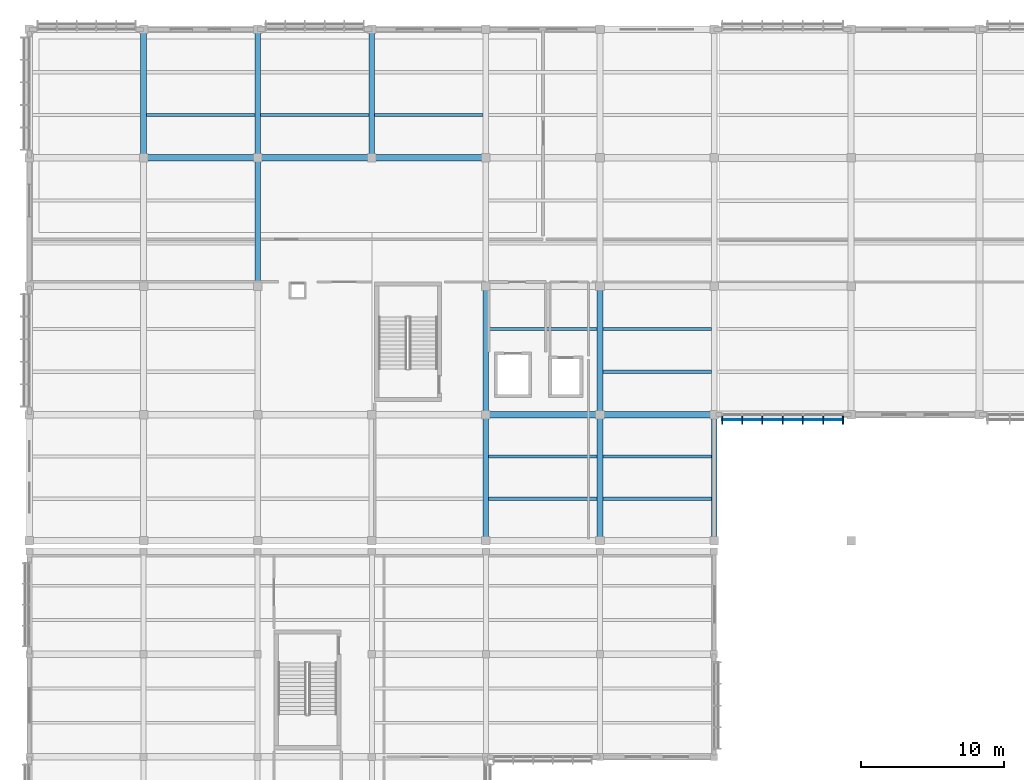
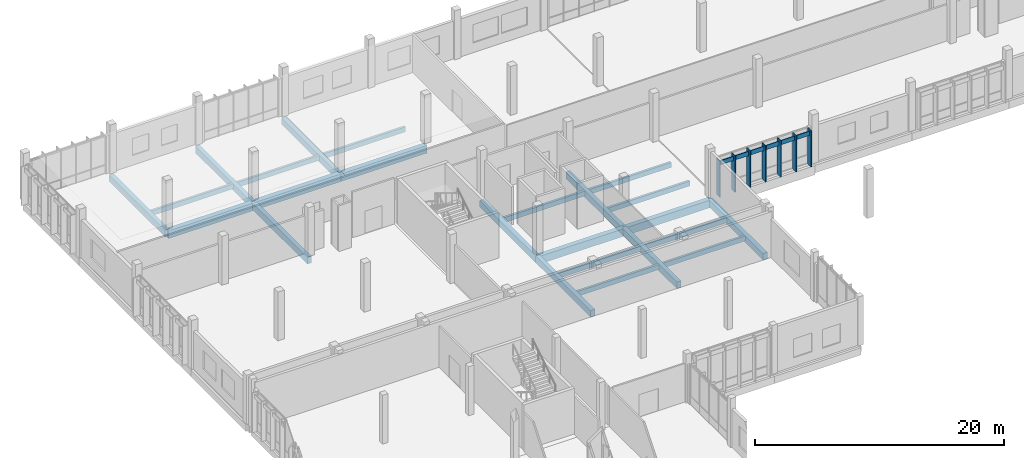
# One storey, part 78 of 177: 24 beams, 8 members, 1 element without a shape of its own.
"""IFC4 building model written with IfcOpenShell, lengths in metres."""

from ifc_helpers import new_model, si_unit, direction, frame, origin, origin_2d, place, context, subcontext, project, spatial, rectangle, extrude, material, material_profile, profile_set, type_object, element, aggregate, save


model = new_model("IFC4")

# Units and contexts
model_context = context("Model", 3, precision=1e-05, world=origin(), true_north=direction((0.0, 1.0)))
body_context = subcontext(model_context, "Body", "Model", "MODEL_VIEW")
ifc_project = project(units=[si_unit("LENGTHUNIT", "METRE"), si_unit("AREAUNIT", "SQUARE_METRE"), si_unit("VOLUMEUNIT", "CUBIC_METRE"), si_unit("PLANEANGLEUNIT", "RADIAN"), si_unit("MASSUNIT", "GRAM", prefix="KILO")], contexts=[model_context])

# Site, building, storey
site_placement = place(None, origin())
site = spatial("IfcSite", under=ifc_project, at=site_placement, CompositionType="ELEMENT")
building_placement = place(site_placement, origin())
building = spatial("IfcBuilding", under=site, at=building_placement, Name="Chiffa Square Polytechnic", CompositionType="ELEMENT")
storey_placement = place(building_placement, frame((0.0, 0.0, 4.800048828125)))
storey = spatial("IfcBuildingStorey", under=building, at=storey_placement, Name="L01", CompositionType="ELEMENT", Elevation=4.800048828125)

# Beams
ifc_material_1 = material(Name="Concrete C35/45", Category="concrete")
ifc_material_profile_1 = material_profile(ifc_material_1, rectangle(XDim=0.39990234375, YDim=0.64990234375, at=origin_2d()), Name="RC 400x650")
ifc_profile_set_1 = profile_set([ifc_material_profile_1], Name="Concrete C35/45")
beam_type_1 = type_object("IfcBeamType", Name="BM-RC-400X650", PredefinedType="BEAM", material=ifc_profile_set_1)
for number, where, z_axis, x_axis, name in (
    (1, (8.0, 121.800048828125, -0.60498046875), (0.0, 1.0, 0.0), (-1.0, 0.0, 0.0), "Primary floor girder BM-V5-L01-Y-0080-1218"),
    (2, (16.0, 112.800048828125, -0.60498046875), (0.0, 1.0, 0.0), (-1.0, 0.0, 0.0), "Primary floor girder BM-V5-L01-Y-0160-1128"),
    (3, (16.0, 121.800048828125, -0.60498046875), (0.0, 1.0, 0.0), (-1.0, 0.0, 0.0), "Primary floor girder BM-V5-L01-Y-0160-1218"),
    (4, (24.0, 121.800048828125, -0.60498046875), (0.0, 1.0, 0.0), (-1.0, 0.0, 0.0), "Primary floor girder BM-V5-L01-Y-0240-1218"),
):
    element("IfcBeam", number, at=place(storey_placement, frame(where, z_axis=z_axis, x_axis=x_axis)), inside=storey, type_object=beam_type_1, Name=name, PredefinedType="BEAM", context=body_context, shape_type="SweptSolid", body=[
        extrude(rectangle(XDim=0.39990234375, YDim=0.64990234375, at=origin_2d()), origin(), (0.0, 0.0, 1.0), 9.0),
    ])
beam_1_placement = place(storey_placement, frame((32.0, 94.949951171875, -0.60498046875), z_axis=(0.0, 1.0, 0.0), x_axis=(-1.0, 0.0, 0.0)))
element("IfcBeam", 5, at=beam_1_placement, inside=storey, type_object=beam_type_1, Name="Primary floor girder BM-V5-L01-Y-0320-0950", PredefinedType="BEAM", context=body_context, shape_type="SweptSolid", body=[
    extrude(rectangle(XDim=0.39990234375, YDim=0.64990234375, at=origin_2d()), origin(), (0.0, 0.0, 1.0), 8.85009765625),
])
beam_2_placement = place(storey_placement, frame((32.0, 103.800048828125, -0.60498046875), z_axis=(0.0, 1.0, 0.0), x_axis=(-1.0, 0.0, 0.0)))
element("IfcBeam", 6, at=beam_2_placement, inside=storey, type_object=beam_type_1, Name="Primary floor girder BM-V5-L01-Y-0320-1038", PredefinedType="BEAM", context=body_context, shape_type="SweptSolid", body=[
    extrude(rectangle(XDim=0.39990234375, YDim=0.64990234375, at=origin_2d()), origin(), (0.0, 0.0, 1.0), 9.0),
])
beam_3_placement = place(storey_placement, frame((40.0, 94.949951171875, -0.60498046875), z_axis=(0.0, 1.0, 0.0), x_axis=(-1.0, 0.0, 0.0)))
element("IfcBeam", 7, at=beam_3_placement, inside=storey, type_object=beam_type_1, Name="Primary floor girder BM-V5-L01-Y-0400-0950", PredefinedType="BEAM", context=body_context, shape_type="SweptSolid", body=[
    extrude(rectangle(XDim=0.39990234375, YDim=0.64990234375, at=origin_2d()), origin(), (0.0, 0.0, 1.0), 8.85009765625),
])
beam_4_placement = place(storey_placement, frame((40.0, 103.800048828125, -0.60498046875), z_axis=(0.0, 1.0, 0.0), x_axis=(-1.0, 0.0, 0.0)))
element("IfcBeam", 8, at=beam_4_placement, inside=storey, type_object=beam_type_1, Name="Primary floor girder BM-V5-L01-Y-0400-1038", PredefinedType="BEAM", context=body_context, shape_type="SweptSolid", body=[
    extrude(rectangle(XDim=0.39990234375, YDim=0.64990234375, at=origin_2d()), origin(), (0.0, 0.0, 1.0), 9.0),
])
beam_5_placement = place(storey_placement, frame((48.0, 94.949951171875, -0.60498046875), z_axis=(0.0, 1.0, 0.0), x_axis=(-1.0, 0.0, 0.0)))
element("IfcBeam", 9, at=beam_5_placement, inside=storey, type_object=beam_type_1, Name="Primary floor girder BM-V5-L01-Y-0480-0950", PredefinedType="BEAM", context=body_context, shape_type="SweptSolid", body=[
    extrude(rectangle(XDim=0.39990234375, YDim=0.64990234375, at=origin_2d()), origin(), (0.0, 0.0, 1.0), 8.85009765625),
])
ifc_material_profile_2 = material_profile(ifc_material_1, rectangle(XDim=0.449951171875, YDim=0.75, at=origin_2d()), Name="RC 450x750")
ifc_profile_set_2 = profile_set([ifc_material_profile_2], Name="Concrete C35/45")
beam_type_2 = type_object("IfcBeamType", Name="BM-RC-450X750", PredefinedType="BEAM", material=ifc_profile_set_2)
for number, where, z_axis, x_axis, name in (
    (10, (32.0, 103.800048828125, -0.655029296875), (1.0, 0.0, 0.0), (0.0, 1.0, 0.0), "Primary floor girder BM-V5-L01-X-0320-1038"),
    (11, (40.0, 103.800048828125, -0.655029296875), (1.0, 0.0, 0.0), (0.0, 1.0, 0.0), "Primary floor girder BM-V5-L01-X-0400-1038"),
    (12, (8.0, 121.800048828125, -0.655029296875), (1.0, 0.0, 0.0), (0.0, 1.0, 0.0), "Primary floor girder BM-V5-L01-X-0080-1218"),
    (13, (16.0, 121.800048828125, -0.655029296875), (1.0, 0.0, 0.0), (0.0, 1.0, 0.0), "Primary floor girder BM-V5-L01-X-0160-1218"),
    (14, (24.0, 121.800048828125, -0.655029296875), (1.0, 0.0, 0.0), (0.0, 1.0, 0.0), "Primary floor girder BM-V5-L01-X-0240-1218"),
):
    element("IfcBeam", number, at=place(storey_placement, frame(where, z_axis=z_axis, x_axis=x_axis)), inside=storey, type_object=beam_type_2, Name=name, PredefinedType="BEAM", context=body_context, shape_type="SweptSolid", body=[
        extrude(rectangle(XDim=0.449951171875, YDim=0.75, at=origin_2d()), origin(), (0.0, 0.0, 1.0), 8.0),
    ])

# Curtain wall, members
ifc_material_2 = material(Name="Aluminium EN AW-6060 T66 and glulam shading", Category="wood")
curtain_wall_type = type_object("IfcCurtainWallType", Name="CW-VERT-540X440", PredefinedType="USERDEFINED", material=ifc_material_2)
curtain_wall_placement = place(storey_placement, origin())
curtain_wall = element("IfcCurtainWall", 15, at=curtain_wall_placement, inside=storey, type_object=curtain_wall_type, Name="Curtain wall CW-V5-L01-199", ObjectType="CURTAIN WALL", PredefinedType="USERDEFINED")
ifc_material_3 = material(Name="Glulam GL28h", Category="wood")
ifc_material_profile_3 = material_profile(ifc_material_3, rectangle(XDim=0.080078125, YDim=0.580078125, at=origin_2d()), Name="GL28h 80x580")
ifc_profile_set_3 = profile_set([ifc_material_profile_3], Name="Glulam GL28h")
member_type_1 = type_object("IfcMemberType", Name="CWM-GL-80X580", PredefinedType="MULLION", material=ifc_profile_set_3)
member_1_placement = place(storey_placement, frame((48.56494140625, 103.427978515625, 0.010009765625), z_axis=(0.0, 0.0, 1.0), x_axis=(1.0, 0.0, 0.0)))
member_1 = element("IfcMember", 16, at=member_1_placement, type_object=member_type_1, Name="Exterior glulam solar fin CW-V5-L01-199-FN00", PredefinedType="MULLION", context=body_context, shape_type="SweptSolid", body=[
    extrude(rectangle(XDim=0.080078125, YDim=0.580078125, at=origin_2d()), origin(), (0.0, 0.0, 1.0), 3.544921875),
])
member_2_placement = place(storey_placement, frame((49.9599609375, 103.427978515625, 0.010009765625), z_axis=(0.0, 0.0, 1.0), x_axis=(1.0, 0.0, 0.0)))
member_2 = element("IfcMember", 17, at=member_2_placement, type_object=member_type_1, Name="Exterior glulam solar fin CW-V5-L01-199-FN01", PredefinedType="MULLION", context=body_context, shape_type="SweptSolid", body=[
    extrude(rectangle(XDim=0.080078125, YDim=0.580078125, at=origin_2d()), origin(), (0.0, 0.0, 1.0), 3.544921875),
])
member_3_placement = place(storey_placement, frame((51.3798828125, 103.427978515625, 0.010009765625), z_axis=(0.0, 0.0, 1.0), x_axis=(1.0, 0.0, 0.0)))
member_3 = element("IfcMember", 18, at=member_3_placement, type_object=member_type_1, Name="Exterior glulam solar fin CW-V5-L01-199-FN02", PredefinedType="MULLION", context=body_context, shape_type="SweptSolid", body=[
    extrude(rectangle(XDim=0.080078125, YDim=0.580078125, at=origin_2d()), origin(), (0.0, 0.0, 1.0), 3.544921875),
])
member_4_placement = place(storey_placement, frame((52.800048828125, 103.427978515625, 0.010009765625), z_axis=(0.0, 0.0, 1.0), x_axis=(1.0, 0.0, 0.0)))
member_4 = element("IfcMember", 19, at=member_4_placement, type_object=member_type_1, Name="Exterior glulam solar fin CW-V5-L01-199-FN03", PredefinedType="MULLION", context=body_context, shape_type="SweptSolid", body=[
    extrude(rectangle(XDim=0.080078125, YDim=0.580078125, at=origin_2d()), origin(), (0.0, 0.0, 1.0), 3.544921875),
])
member_5_placement = place(storey_placement, frame((54.219970703125, 103.427978515625, 0.010009765625), z_axis=(0.0, 0.0, 1.0), x_axis=(1.0, 0.0, 0.0)))
member_5 = element("IfcMember", 20, at=member_5_placement, type_object=member_type_1, Name="Exterior glulam solar fin CW-V5-L01-199-FN04", PredefinedType="MULLION", context=body_context, shape_type="SweptSolid", body=[
    extrude(rectangle(XDim=0.080078125, YDim=0.580078125, at=origin_2d()), origin(), (0.0, 0.0, 1.0), 3.544921875),
])
member_6_placement = place(storey_placement, frame((55.639892578125, 103.427978515625, 0.010009765625), z_axis=(0.0, 0.0, 1.0), x_axis=(1.0, 0.0, 0.0)))
member_6 = element("IfcMember", 21, at=member_6_placement, type_object=member_type_1, Name="Exterior glulam solar fin CW-V5-L01-199-FN05", PredefinedType="MULLION", context=body_context, shape_type="SweptSolid", body=[
    extrude(rectangle(XDim=0.080078125, YDim=0.580078125, at=origin_2d()), origin(), (0.0, 0.0, 1.0), 3.544921875),
])
member_7_placement = place(storey_placement, frame((57.034912109375, 103.427978515625, 0.010009765625), z_axis=(0.0, 0.0, 1.0), x_axis=(1.0, 0.0, 0.0)))
member_7 = element("IfcMember", 22, at=member_7_placement, type_object=member_type_1, Name="Exterior glulam solar fin CW-V5-L01-199-FN06", PredefinedType="MULLION", context=body_context, shape_type="SweptSolid", body=[
    extrude(rectangle(XDim=0.080078125, YDim=0.580078125, at=origin_2d()), origin(), (0.0, 0.0, 1.0), 3.544921875),
])
ifc_material_profile_4 = material_profile(ifc_material_3, rectangle(XDim=0.070068359375, YDim=0.419921875, at=origin_2d()), Name="GL28h 70x420")
ifc_profile_set_4 = profile_set([ifc_material_profile_4], Name="Glulam GL28h")
member_type_2 = type_object("IfcMemberType", Name="CWT-GL-70X420", PredefinedType="USERDEFINED", material=ifc_profile_set_4)
member_8_placement = place(storey_placement, frame((48.56494140625, 103.427978515625, 3.18505859375), z_axis=(1.0, 0.0, 0.0), x_axis=(0.0, 1.0, 0.0)))
member_8 = element("IfcMember", 23, at=member_8_placement, type_object=member_type_2, Name="Exterior glulam brise-soleil CW-V5-L01-199-BS01", ObjectType="TRANSOM", PredefinedType="USERDEFINED", context=body_context, shape_type="SweptSolid", body=[
    extrude(rectangle(XDim=0.070068359375, YDim=0.419921875, at=origin_2d()), origin(), (0.0, 0.0, 1.0), 8.469970703125),
])
aggregate(curtain_wall, [member_1, member_2, member_3, member_4, member_5, member_6, member_7, member_8])

# Beams
ifc_material_profile_5 = material_profile(ifc_material_3, rectangle(XDim=0.219970703125, YDim=0.47998046875, at=origin_2d()), Name="GL28h 220x480")
ifc_profile_set_5 = profile_set([ifc_material_profile_5], Name="Glulam GL28h")
beam_type_3 = type_object("IfcBeamType", Name="JST-GL-220X480", PredefinedType="JOIST", material=ifc_profile_set_5)
for number, where, z_axis, x_axis, name in (
    (24, (8.197998046875, 124.800048828125, -0.52001953125), (1.0, 0.0, 0.0), (0.0, 1.0, 0.0), "Secondary floor joist JST-V5-L01-0080-1248"),
    (25, (16.197998046875, 124.800048828125, -0.52001953125), (1.0, 0.0, 0.0), (0.0, 1.0, 0.0), "Secondary floor joist JST-V5-L01-0160-1248"),
    (26, (24.197998046875, 124.800048828125, -0.52001953125), (1.0, 0.0, 0.0), (0.0, 1.0, 0.0), "Secondary floor joist JST-V5-L01-0240-1248"),
    (27, (32.197998046875, 97.89990234375, -0.52001953125), (1.0, 0.0, 0.0), (0.0, 1.0, 0.0), "Secondary floor joist JST-V5-L01-0320-0979"),
    (28, (32.197998046875, 100.85009765625, -0.52001953125), (1.0, 0.0, 0.0), (0.0, 1.0, 0.0), "Secondary floor joist JST-V5-L01-0320-1008"),
    (29, (32.197998046875, 109.800048828125, -0.52001953125), (1.0, 0.0, 0.0), (0.0, 1.0, 0.0), "Secondary floor joist JST-V5-L01-0320-1098"),
    (30, (40.197998046875, 97.89990234375, -0.52001953125), (1.0, 0.0, 0.0), (0.0, 1.0, 0.0), "Secondary floor joist JST-V5-L01-0400-0979"),
    (31, (40.197998046875, 100.85009765625, -0.52001953125), (1.0, 0.0, 0.0), (0.0, 1.0, 0.0), "Secondary floor joist JST-V5-L01-0400-1008"),
    (32, (40.197998046875, 106.800048828125, -0.52001953125), (1.0, 0.0, 0.0), (0.0, 1.0, 0.0), "Secondary floor joist JST-V5-L01-0400-1068"),
    (33, (40.197998046875, 109.800048828125, -0.52001953125), (1.0, 0.0, 0.0), (0.0, 1.0, 0.0), "Secondary floor joist JST-V5-L01-0400-1098"),
):
    element("IfcBeam", number, at=place(storey_placement, frame(where, z_axis=z_axis, x_axis=x_axis)), inside=storey, type_object=beam_type_3, Name=name, PredefinedType="JOIST", context=body_context, shape_type="SweptSolid", body=[
        extrude(rectangle(XDim=0.219970703125, YDim=0.47998046875, at=origin_2d()), origin(), (0.0, 0.0, 1.0), 7.60400390625),
    ])

save(model, "model.ifc")
